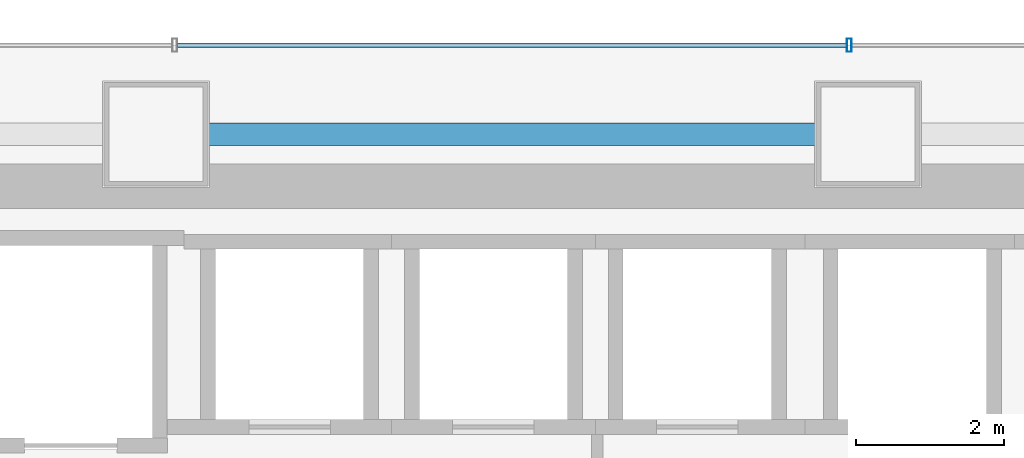
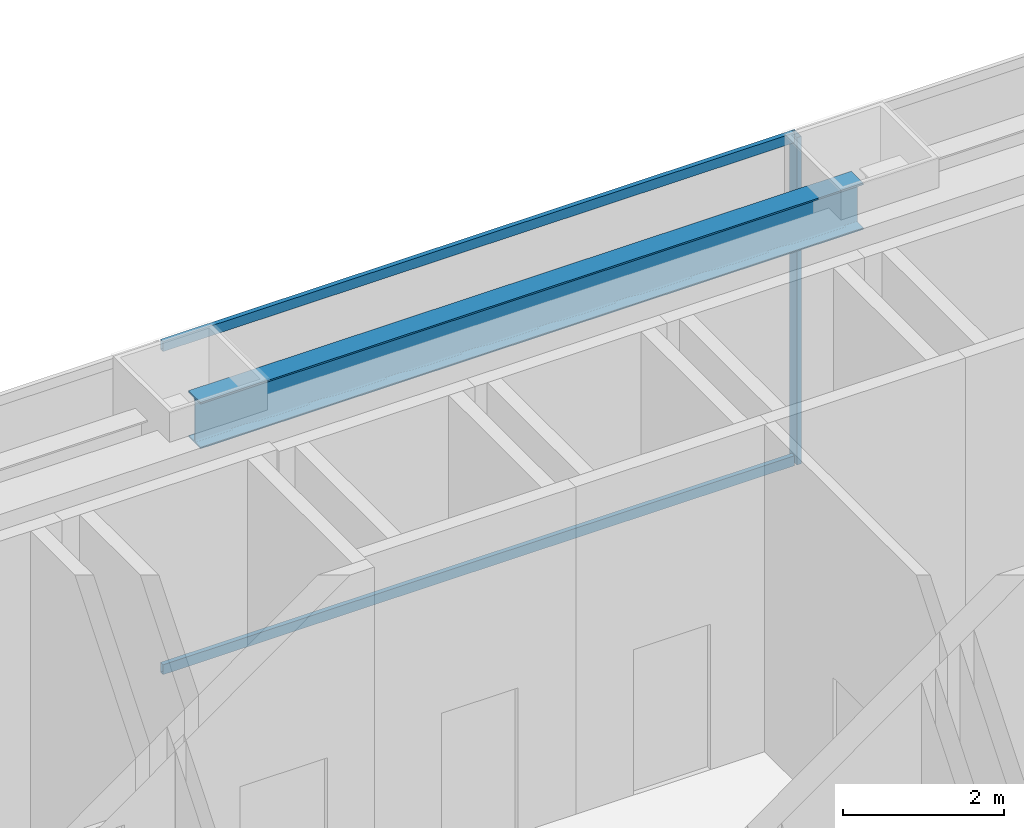
# One storey, part 31 of 42: 3 members, 1 beam, 1 element without a shape of its own.
"""IFC4 building model written with IfcOpenShell, lengths in metres."""

from ifc_helpers import new_model, si_unit, direction, frame, origin, origin_2d, place, context, subcontext, project, spatial, hollow_rectangle, i_section, extrude, material, material_profile, profile_set, type_object, element, aggregate, save


model = new_model("IFC4")

# Units and contexts
model_context = context("Model", 3, precision=1e-05, world=origin(), true_north=direction((0.0, 1.0)))
body_context = subcontext(model_context, "Body", "Model", "MODEL_VIEW")
ifc_project = project(units=[si_unit("LENGTHUNIT", "METRE"), si_unit("AREAUNIT", "SQUARE_METRE"), si_unit("VOLUMEUNIT", "CUBIC_METRE"), si_unit("PLANEANGLEUNIT", "RADIAN"), si_unit("MASSUNIT", "GRAM", prefix="KILO")], contexts=[model_context])

# Site, building, storey
site_placement = place(None, origin())
site = spatial("IfcSite", under=ifc_project, at=site_placement, CompositionType="ELEMENT")
building_placement = place(site_placement, origin())
building = spatial("IfcBuilding", under=site, at=building_placement, Name="Saevonmaru Cultural Tower", CompositionType="ELEMENT")
storey_placement = place(building_placement, frame((0.0, 0.0, 33.0)))
storey = spatial("IfcBuildingStorey", under=building, at=storey_placement, Name="L06", CompositionType="ELEMENT", Elevation=33.0)

# Beam
ifc_material_1 = material(Name="Steel SM355", Category="steel")
ifc_material_profile_1 = material_profile(ifc_material_1, i_section(OverallWidth=0.300048828125, OverallDepth=0.699951171875, WebThickness=0.012939453125, FlangeThickness=0.02392578125, FilletRadius=0.02587890625, at=origin_2d()), Name="H-700x300x13x24")
ifc_profile_set_1 = profile_set([ifc_material_profile_1], Name="Steel SM355")
beam_type = type_object("IfcBeamType", Name="BM-SP-H700", PredefinedType="SPANDREL", material=ifc_profile_set_1)
beam_placement = place(storey_placement, frame((25.260009765625, 54.800048828125, 4.60009765625), z_axis=(1.0, 0.0, 0.0), x_axis=(0.0, 1.0, 0.0)))
element("IfcBeam", 1, at=beam_placement, inside=storey, type_object=beam_type, Name="L06 North Spine Girder 3", PredefinedType="SPANDREL", context=body_context, shape_type="SweptSolid", body=[
    extrude(i_section(OverallWidth=0.300048828125, OverallDepth=0.699951171875, WebThickness=0.012939453125, FlangeThickness=0.02392578125, FilletRadius=0.02587890625, at=origin_2d()), origin(), (0.0, 0.0, 1.0), 9.47998046875),
])

# Curtain wall, members
ifc_material_2 = material(Name="Satin Bronze Anodised Aluminium", Category="aluminium")
curtain_wall_type = type_object("IfcCurtainWallType", Name="CW-SKY-GLZ", PredefinedType="NOTDEFINED", material=ifc_material_2)
curtain_wall_placement = place(storey_placement, origin())
curtain_wall = element("IfcCurtainWall", 2, at=curtain_wall_placement, inside=storey, type_object=curtain_wall_type, Name="L06 Unitised Curtain Wall E10", PredefinedType="NOTDEFINED")
ifc_material_profile_2 = material_profile(ifc_material_2, hollow_rectangle(XDim=0.06494140625, YDim=0.179931640625, WallThickness=0.00390625, at=origin_2d()), Name="ALU-MULL-180x65x4")
ifc_profile_set_2 = profile_set([ifc_material_profile_2], Name="Satin Bronze Anodised Aluminium")
member_type_1 = type_object("IfcMemberType", Name="ML-CW-180x65", PredefinedType="MULLION", material=ifc_profile_set_2)
member_1_placement = place(storey_placement, frame((34.548095703125, 56.0, 0.0), z_axis=(0.0, 0.0, 1.0), x_axis=(-1.0, 0.0, 0.0)))
member_1 = element("IfcMember", 3, at=member_1_placement, type_object=member_type_1, Name="CW-TW-L06-E10 mullion 3", PredefinedType="MULLION", context=body_context, shape_type="SweptSolid", body=[
    extrude(hollow_rectangle(XDim=0.06494140625, YDim=0.179931640625, WallThickness=0.00390625, at=origin_2d()), origin(), (0.0, 0.0, 1.0), 4.949951171875),
])
ifc_material_profile_3 = material_profile(ifc_material_2, hollow_rectangle(XDim=0.06494140625, YDim=0.14990234375, WallThickness=0.00390625, at=origin_2d()), Name="ALU-TRAN-150x65x4")
ifc_profile_set_3 = profile_set([ifc_material_profile_3], Name="Satin Bronze Anodised Aluminium")
member_type_2 = type_object("IfcMemberType", Name="TR-CW-150x65", PredefinedType="USERDEFINED", material=ifc_profile_set_3)
member_2_placement = place(storey_placement, frame((34.515380859375, 56.0, 0.032470703125), z_axis=(-1.0, 0.0, 0.0), x_axis=(0.0, -1.0, 0.0)))
member_2 = element("IfcMember", 4, at=member_2_placement, type_object=member_type_2, Name="CW-TW-L06-E10 transom 3.1", ObjectType="TRANSOM", PredefinedType="USERDEFINED", context=body_context, shape_type="SweptSolid", body=[
    extrude(hollow_rectangle(XDim=0.06494140625, YDim=0.14990234375, WallThickness=0.00390625, at=origin_2d()), origin(), (0.0, 0.0, 1.0), 9.03076171875),
])
member_3_placement = place(storey_placement, frame((34.515380859375, 56.0, 4.91748046875), z_axis=(-1.0, 0.0, 0.0), x_axis=(0.0, -1.0, 0.0)))
member_3 = element("IfcMember", 5, at=member_3_placement, type_object=member_type_2, Name="CW-TW-L06-E10 transom 3.2", ObjectType="TRANSOM", PredefinedType="USERDEFINED", context=body_context, shape_type="SweptSolid", body=[
    extrude(hollow_rectangle(XDim=0.06494140625, YDim=0.14990234375, WallThickness=0.00390625, at=origin_2d()), origin(), (0.0, 0.0, 1.0), 9.03076171875),
])
aggregate(curtain_wall, [member_1, member_2, member_3])

save(model, "model.ifc")
